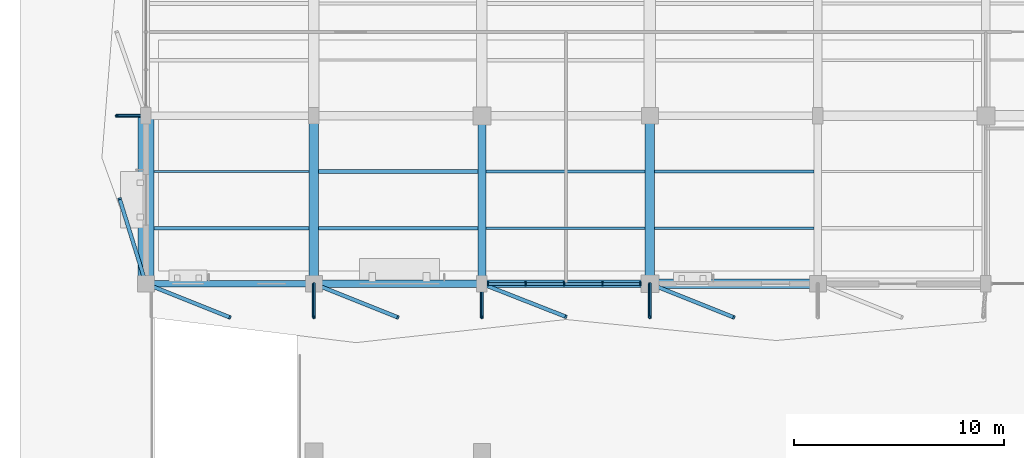
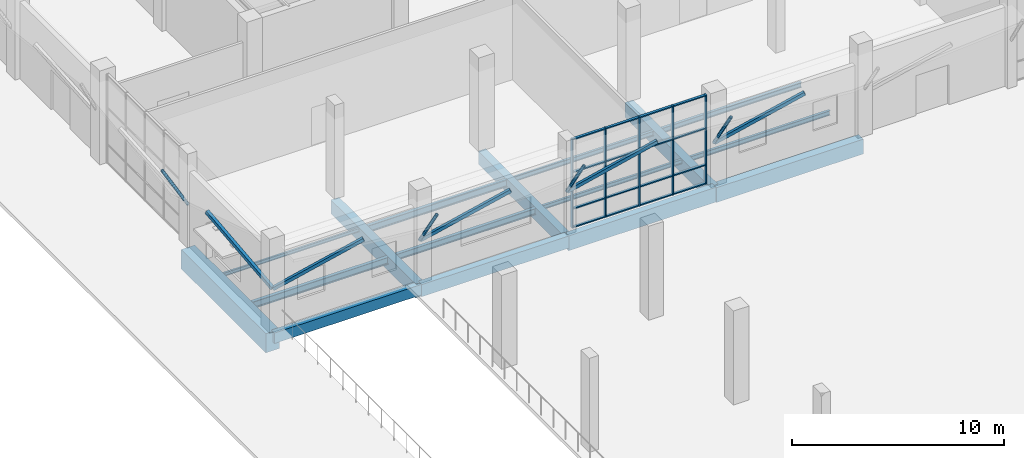
# One storey, part 34 of 123: 30 members, 16 beams, 1 element without a shape of its own.
"""IFC4 building model written with IfcOpenShell, lengths in metres."""

from ifc_helpers import new_model, si_unit, direction, frame, origin, origin_2d, place, context, subcontext, project, spatial, rectangle, hollow_rectangle, hollow_circle, i_section, extrude, material, material_profile, profile_set, type_object, element, aggregate, save


model = new_model("IFC4")

# Units and contexts
model_context = context("Model", 3, precision=1e-05, world=origin(), true_north=direction((0.0, 1.0)))
body_context = subcontext(model_context, "Body", "Model", "MODEL_VIEW")
ifc_project = project(units=[si_unit("LENGTHUNIT", "METRE"), si_unit("AREAUNIT", "SQUARE_METRE"), si_unit("VOLUMEUNIT", "CUBIC_METRE"), si_unit("PLANEANGLEUNIT", "RADIAN"), si_unit("MASSUNIT", "GRAM", prefix="KILO")], contexts=[model_context])

# Site, building, storey
site_placement = place(None, origin())
site = spatial("IfcSite", under=ifc_project, at=site_placement, CompositionType="ELEMENT")
building_placement = place(site_placement, origin())
building = spatial("IfcBuilding", under=site, at=building_placement, Name="Tenunan Teduh Sports Hall", CompositionType="ELEMENT")
storey_placement = place(building_placement, origin())
storey = spatial("IfcBuildingStorey", under=building, at=storey_placement, Name="L00", CompositionType="ELEMENT", Elevation=0.0)

# Beams
ifc_material_1 = material(Name="Concrete C40/50", Category="concrete")
ifc_material_profile_1 = material_profile(ifc_material_1, rectangle(XDim=0.300048828125, YDim=0.60009765625, at=origin_2d()), Name="RCB 300x600")
ifc_profile_set_1 = profile_set([ifc_material_profile_1], Name="Concrete C40/50")
beam_type_1 = type_object("IfcBeamType", Name="BM-RC-300x600", PredefinedType="BEAM", material=ifc_profile_set_1)
beam_1_placement = place(storey_placement, frame((6.0, 78.0, -0.580078125), z_axis=(1.0, 0.0, 0.0), x_axis=(0.0, 1.0, 0.0)))
element("IfcBeam", 1, at=beam_1_placement, inside=storey, type_object=beam_type_1, Name="BM-B-03-L00-0674", PredefinedType="BEAM", context=body_context, shape_type="SweptSolid", body=[
    extrude(rectangle(XDim=0.300048828125, YDim=0.60009765625, at=origin_2d()), origin(), (0.0, 0.0, 1.0), 8.0),
])
ifc_material_2 = material(Name="Concrete C40/50", Category="concrete")
ifc_material_profile_2 = material_profile(ifc_material_2, rectangle(XDim=0.35009765625, YDim=0.699951171875, at=origin_2d()), Name="RCB 350x700")
ifc_profile_set_2 = profile_set([ifc_material_profile_2], Name="Concrete C40/50")
beam_type_2 = type_object("IfcBeamType", Name="BM-RC-350x700", PredefinedType="BEAM", material=ifc_profile_set_2)
beam_2_placement = place(storey_placement, frame((14.0, 78.0, -0.6298828125), z_axis=(1.0, 0.0, 0.0), x_axis=(0.0, 1.0, 0.0)))
element("IfcBeam", 2, at=beam_2_placement, inside=storey, type_object=beam_type_2, Name="BM-B-06-L00-0675", PredefinedType="BEAM", context=body_context, shape_type="SweptSolid", body=[
    extrude(rectangle(XDim=0.35009765625, YDim=0.699951171875, at=origin_2d()), origin(), (0.0, 0.0, 1.0), 8.0),
])
ifc_material_3 = material(Name="Concrete C40/50", Category="concrete")
ifc_material_profile_3 = material_profile(ifc_material_3, rectangle(XDim=0.39990234375, YDim=0.75, at=origin_2d()), Name="RCB 400x750")
ifc_profile_set_3 = profile_set([ifc_material_profile_3], Name="Concrete C40/50")
beam_type_3 = type_object("IfcBeamType", Name="BM-RC-400x750", PredefinedType="BEAM", material=ifc_profile_set_3)
beam_3_placement = place(storey_placement, frame((22.0, 78.0, -0.655029296875), z_axis=(0.0, 1.0, 0.0), x_axis=(-1.0, 0.0, 0.0)))
element("IfcBeam", 3, at=beam_3_placement, inside=storey, type_object=beam_type_3, Name="BM-B-09-L00-0778", PredefinedType="BEAM", context=body_context, shape_type="SweptSolid", body=[
    extrude(rectangle(XDim=0.39990234375, YDim=0.75, at=origin_2d()), origin(), (0.0, 0.0, 1.0), 8.0),
])
ifc_material_4 = material(Name="Concrete C40/50", Category="concrete")
ifc_material_profile_4 = material_profile(ifc_material_4, rectangle(XDim=0.449951171875, YDim=0.800048828125, at=origin_2d()), Name="RCB 450x800")
ifc_profile_set_4 = profile_set([ifc_material_profile_4], Name="Concrete C40/50")
beam_type_4 = type_object("IfcBeamType", Name="BM-RC-450x800", PredefinedType="BEAM", material=ifc_profile_set_4)
beam_4_placement = place(storey_placement, frame((14.0, 78.0, -0.679931640625), z_axis=(0.0, 1.0, 0.0), x_axis=(-1.0, 0.0, 0.0)))
element("IfcBeam", 4, at=beam_4_placement, inside=storey, type_object=beam_type_4, Name="BM-B-12-L00-0772", PredefinedType="BEAM", context=body_context, shape_type="SweptSolid", body=[
    extrude(rectangle(XDim=0.449951171875, YDim=0.800048828125, at=origin_2d()), origin(), (0.0, 0.0, 1.0), 8.0),
])
ifc_material_5 = material(Name="Concrete C40/50", Category="concrete")
ifc_material_profile_5 = material_profile(ifc_material_5, rectangle(XDim=0.449951171875, YDim=0.85009765625, at=origin_2d()), Name="RCB 450x850")
ifc_profile_set_5 = profile_set([ifc_material_profile_5], Name="Concrete C40/50")
beam_type_5 = type_object("IfcBeamType", Name="BM-RC-450x850", PredefinedType="BEAM", material=ifc_profile_set_5)
for number, where, z_axis, x_axis, name in (
    (5, (30.0, 78.0, -0.705078125), (1.0, 0.0, 0.0), (0.0, 1.0, 0.0), "BM-B-13-L00-0677"),
    (6, (30.0, 78.0, -0.705078125), (0.0, 1.0, 0.0), (-1.0, 0.0, 0.0), "BM-B-13-L00-0784"),
):
    element("IfcBeam", number, at=place(storey_placement, frame(where, z_axis=z_axis, x_axis=x_axis)), inside=storey, type_object=beam_type_5, Name=name, PredefinedType="BEAM", context=body_context, shape_type="SweptSolid", body=[
        extrude(rectangle(XDim=0.449951171875, YDim=0.85009765625, at=origin_2d()), origin(), (0.0, 0.0, 1.0), 8.0),
    ])
ifc_material_6 = material(Name="Concrete C40/50", Category="concrete")
ifc_material_profile_6 = material_profile(ifc_material_6, rectangle(XDim=0.75, YDim=1.10009765625, at=origin_2d()), Name="RCB 750x1100")
ifc_profile_set_6 = profile_set([ifc_material_profile_6], Name="Concrete C40/50")
beam_type_6 = type_object("IfcBeamType", Name="BM-RC-750x1100", PredefinedType="SPANDREL", material=ifc_profile_set_6)
beam_5_placement = place(storey_placement, frame((6.0, 78.0, -0.830078125), z_axis=(0.0, 1.0, 0.0), x_axis=(-1.0, 0.0, 0.0)))
element("IfcBeam", 7, at=beam_5_placement, inside=storey, type_object=beam_type_6, Name="BM-B-20-L00-0767", PredefinedType="SPANDREL", context=body_context, shape_type="SweptSolid", body=[
    extrude(rectangle(XDim=0.75, YDim=1.10009765625, at=origin_2d()), origin(), (0.0, 0.0, 1.0), 8.0),
])
ifc_material_7 = material(Name="Concrete C40/50", Category="concrete")
ifc_material_profile_7 = material_profile(ifc_material_7, rectangle(XDim=0.35009765625, YDim=0.85009765625, at=origin_2d()), Name="SPB 350x850")
ifc_profile_set_7 = profile_set([ifc_material_profile_7], Name="Concrete C40/50")
beam_type_7 = type_object("IfcBeamType", Name="BM-SP-350x850", PredefinedType="SPANDREL", material=ifc_profile_set_7)
beam_6_placement = place(storey_placement, frame((22.0, 78.0, -0.705078125), z_axis=(1.0, 0.0, 0.0), x_axis=(0.0, 1.0, 0.0)))
element("IfcBeam", 8, at=beam_6_placement, inside=storey, type_object=beam_type_7, Name="BM-SP-02-L00-0676", PredefinedType="SPANDREL", context=body_context, shape_type="SweptSolid", body=[
    extrude(rectangle(XDim=0.35009765625, YDim=0.85009765625, at=origin_2d()), origin(), (0.0, 0.0, 1.0), 8.0),
])

# Curtain wall, members
ifc_material_8 = material(Name="Anodised aluminium", Category="aluminium")
curtain_wall_type = type_object("IfcCurtainWallType", Name="CW-UNIT-1", PredefinedType="NOTDEFINED", material=ifc_material_8)
curtain_wall_placement = place(storey_placement, origin())
curtain_wall = element("IfcCurtainWall", 9, at=curtain_wall_placement, inside=storey, type_object=curtain_wall_type, Name="CW-CWM-175-L00-190", PredefinedType="NOTDEFINED")
ifc_material_9 = material(Name="Anodised aluminium", Category="aluminium")
ifc_material_profile_8 = material_profile(ifc_material_9, rectangle(XDim=0.06494140625, YDim=0.175048828125, at=origin_2d()), Name="CWM 65x175")
ifc_profile_set_8 = profile_set([ifc_material_profile_8], Name="Anodised aluminium")
member_type_1 = type_object("IfcMemberType", Name="CWM-175", PredefinedType="MULLION", material=ifc_profile_set_8)
member_1_placement = place(storey_placement, frame((22.282470703125, 78.0, 0.0), z_axis=(0.0, 0.0, 1.0), x_axis=(1.0, 0.0, 0.0)))
member_1 = element("IfcMember", 10, at=member_1_placement, type_object=member_type_1, Name="CW-01 mullion 1", PredefinedType="MULLION", context=body_context, shape_type="SweptSolid", body=[
    extrude(rectangle(XDim=0.06494140625, YDim=0.175048828125, at=origin_2d()), origin(), (0.0, 0.0, 1.0), 5.1201171875),
])
member_2_placement = place(storey_placement, frame((24.081298828125, 78.0, 0.0), z_axis=(0.0, 0.0, 1.0), x_axis=(1.0, 0.0, 0.0)))
member_2 = element("IfcMember", 11, at=member_2_placement, type_object=member_type_1, Name="CW-01 mullion 2", PredefinedType="MULLION", context=body_context, shape_type="SweptSolid", body=[
    extrude(rectangle(XDim=0.06494140625, YDim=0.175048828125, at=origin_2d()), origin(), (0.0, 0.0, 1.0), 5.1201171875),
])
member_3_placement = place(storey_placement, frame((25.91259765625, 78.0, 0.0), z_axis=(0.0, 0.0, 1.0), x_axis=(1.0, 0.0, 0.0)))
member_3 = element("IfcMember", 12, at=member_3_placement, type_object=member_type_1, Name="CW-01 mullion 3", PredefinedType="MULLION", context=body_context, shape_type="SweptSolid", body=[
    extrude(rectangle(XDim=0.06494140625, YDim=0.175048828125, at=origin_2d()), origin(), (0.0, 0.0, 1.0), 5.1201171875),
])
member_4_placement = place(storey_placement, frame((27.74365234375, 78.0, 0.0), z_axis=(0.0, 0.0, 1.0), x_axis=(1.0, 0.0, 0.0)))
member_4 = element("IfcMember", 13, at=member_4_placement, type_object=member_type_1, Name="CW-01 mullion 4", PredefinedType="MULLION", context=body_context, shape_type="SweptSolid", body=[
    extrude(rectangle(XDim=0.06494140625, YDim=0.175048828125, at=origin_2d()), origin(), (0.0, 0.0, 1.0), 5.1201171875),
])
member_5_placement = place(storey_placement, frame((29.54248046875, 78.0, 0.0), z_axis=(0.0, 0.0, 1.0), x_axis=(1.0, 0.0, 0.0)))
member_5 = element("IfcMember", 14, at=member_5_placement, type_object=member_type_1, Name="CW-01 mullion 5", PredefinedType="MULLION", context=body_context, shape_type="SweptSolid", body=[
    extrude(rectangle(XDim=0.06494140625, YDim=0.175048828125, at=origin_2d()), origin(), (0.0, 0.0, 1.0), 5.1201171875),
])
ifc_material_10 = material(Name="Anodised aluminium", Category="aluminium")
ifc_material_profile_9 = material_profile(ifc_material_10, rectangle(XDim=0.06494140625, YDim=0.139892578125, at=origin_2d()), Name="CWT 65x140")
ifc_profile_set_9 = profile_set([ifc_material_profile_9], Name="Anodised aluminium")
member_type_2 = type_object("IfcMemberType", Name="CWT-150", PredefinedType="USERDEFINED", material=ifc_profile_set_9)
member_6_placement = place(storey_placement, frame((22.31494140625, 78.0, 0.032470703125), z_axis=(1.0, 0.0, 0.0), x_axis=(0.0, 0.0, 1.0)))
member_6 = element("IfcMember", 15, at=member_6_placement, type_object=member_type_2, Name="CW-01 transom 1.1", ObjectType="TRANSOM", PredefinedType="USERDEFINED", context=body_context, shape_type="SweptSolid", body=[
    extrude(rectangle(XDim=0.06494140625, YDim=0.139892578125, at=origin_2d()), origin(), (0.0, 0.0, 1.0), 1.73388671875),
])
member_7_placement = place(storey_placement, frame((22.31494140625, 78.0, 1.10009765625), z_axis=(1.0, 0.0, 0.0), x_axis=(0.0, 0.0, 1.0)))
member_7 = element("IfcMember", 16, at=member_7_placement, type_object=member_type_2, Name="CW-01 transom 1.2", ObjectType="TRANSOM", PredefinedType="USERDEFINED", context=body_context, shape_type="SweptSolid", body=[
    extrude(rectangle(XDim=0.06494140625, YDim=0.139892578125, at=origin_2d()), origin(), (0.0, 0.0, 1.0), 1.73388671875),
])
member_8_placement = place(storey_placement, frame((22.31494140625, 78.0, 3.199951171875), z_axis=(1.0, 0.0, 0.0), x_axis=(0.0, 0.0, 1.0)))
member_8 = element("IfcMember", 17, at=member_8_placement, type_object=member_type_2, Name="CW-01 transom 1.3", ObjectType="TRANSOM", PredefinedType="USERDEFINED", context=body_context, shape_type="SweptSolid", body=[
    extrude(rectangle(XDim=0.06494140625, YDim=0.139892578125, at=origin_2d()), origin(), (0.0, 0.0, 1.0), 1.73388671875),
])
member_9_placement = place(storey_placement, frame((22.31494140625, 78.0, 5.08740234375), z_axis=(1.0, 0.0, 0.0), x_axis=(0.0, 0.0, 1.0)))
member_9 = element("IfcMember", 18, at=member_9_placement, type_object=member_type_2, Name="CW-01 transom 1.4", ObjectType="TRANSOM", PredefinedType="USERDEFINED", context=body_context, shape_type="SweptSolid", body=[
    extrude(rectangle(XDim=0.06494140625, YDim=0.139892578125, at=origin_2d()), origin(), (0.0, 0.0, 1.0), 1.73388671875),
])
member_10_placement = place(storey_placement, frame((24.11376953125, 78.0, 0.032470703125), z_axis=(1.0, 0.0, 0.0), x_axis=(0.0, 0.0, 1.0)))
member_10 = element("IfcMember", 19, at=member_10_placement, type_object=member_type_2, Name="CW-01 transom 2.1", ObjectType="TRANSOM", PredefinedType="USERDEFINED", context=body_context, shape_type="SweptSolid", body=[
    extrude(rectangle(XDim=0.06494140625, YDim=0.139892578125, at=origin_2d()), origin(), (0.0, 0.0, 1.0), 1.76611328125),
])
member_11_placement = place(storey_placement, frame((24.11376953125, 78.0, 1.10009765625), z_axis=(1.0, 0.0, 0.0), x_axis=(0.0, 0.0, 1.0)))
member_11 = element("IfcMember", 20, at=member_11_placement, type_object=member_type_2, Name="CW-01 transom 2.2", ObjectType="TRANSOM", PredefinedType="USERDEFINED", context=body_context, shape_type="SweptSolid", body=[
    extrude(rectangle(XDim=0.06494140625, YDim=0.139892578125, at=origin_2d()), origin(), (0.0, 0.0, 1.0), 1.76611328125),
])
member_12_placement = place(storey_placement, frame((24.11376953125, 78.0, 3.199951171875), z_axis=(1.0, 0.0, 0.0), x_axis=(0.0, 0.0, 1.0)))
member_12 = element("IfcMember", 21, at=member_12_placement, type_object=member_type_2, Name="CW-01 transom 2.3", ObjectType="TRANSOM", PredefinedType="USERDEFINED", context=body_context, shape_type="SweptSolid", body=[
    extrude(rectangle(XDim=0.06494140625, YDim=0.139892578125, at=origin_2d()), origin(), (0.0, 0.0, 1.0), 1.76611328125),
])
member_13_placement = place(storey_placement, frame((24.11376953125, 78.0, 5.08740234375), z_axis=(1.0, 0.0, 0.0), x_axis=(0.0, 0.0, 1.0)))
member_13 = element("IfcMember", 22, at=member_13_placement, type_object=member_type_2, Name="CW-01 transom 2.4", ObjectType="TRANSOM", PredefinedType="USERDEFINED", context=body_context, shape_type="SweptSolid", body=[
    extrude(rectangle(XDim=0.06494140625, YDim=0.139892578125, at=origin_2d()), origin(), (0.0, 0.0, 1.0), 1.76611328125),
])
member_14_placement = place(storey_placement, frame((25.945068359375, 78.0, 0.032470703125), z_axis=(1.0, 0.0, 0.0), x_axis=(0.0, 0.0, 1.0)))
member_14 = element("IfcMember", 23, at=member_14_placement, type_object=member_type_2, Name="CW-01 transom 3.1", ObjectType="TRANSOM", PredefinedType="USERDEFINED", context=body_context, shape_type="SweptSolid", body=[
    extrude(rectangle(XDim=0.06494140625, YDim=0.139892578125, at=origin_2d()), origin(), (0.0, 0.0, 1.0), 1.76611328125),
])
member_15_placement = place(storey_placement, frame((25.945068359375, 78.0, 1.10009765625), z_axis=(1.0, 0.0, 0.0), x_axis=(0.0, 0.0, 1.0)))
member_15 = element("IfcMember", 24, at=member_15_placement, type_object=member_type_2, Name="CW-01 transom 3.2", ObjectType="TRANSOM", PredefinedType="USERDEFINED", context=body_context, shape_type="SweptSolid", body=[
    extrude(rectangle(XDim=0.06494140625, YDim=0.139892578125, at=origin_2d()), origin(), (0.0, 0.0, 1.0), 1.76611328125),
])
member_16_placement = place(storey_placement, frame((25.945068359375, 78.0, 3.199951171875), z_axis=(1.0, 0.0, 0.0), x_axis=(0.0, 0.0, 1.0)))
member_16 = element("IfcMember", 25, at=member_16_placement, type_object=member_type_2, Name="CW-01 transom 3.3", ObjectType="TRANSOM", PredefinedType="USERDEFINED", context=body_context, shape_type="SweptSolid", body=[
    extrude(rectangle(XDim=0.06494140625, YDim=0.139892578125, at=origin_2d()), origin(), (0.0, 0.0, 1.0), 1.76611328125),
])
member_17_placement = place(storey_placement, frame((25.945068359375, 78.0, 5.08740234375), z_axis=(1.0, 0.0, 0.0), x_axis=(0.0, 0.0, 1.0)))
member_17 = element("IfcMember", 26, at=member_17_placement, type_object=member_type_2, Name="CW-01 transom 3.4", ObjectType="TRANSOM", PredefinedType="USERDEFINED", context=body_context, shape_type="SweptSolid", body=[
    extrude(rectangle(XDim=0.06494140625, YDim=0.139892578125, at=origin_2d()), origin(), (0.0, 0.0, 1.0), 1.76611328125),
])
member_18_placement = place(storey_placement, frame((27.7763671875, 78.0, 0.032470703125), z_axis=(1.0, 0.0, 0.0), x_axis=(0.0, 0.0, 1.0)))
member_18 = element("IfcMember", 27, at=member_18_placement, type_object=member_type_2, Name="CW-01 transom 4.1", ObjectType="TRANSOM", PredefinedType="USERDEFINED", context=body_context, shape_type="SweptSolid", body=[
    extrude(rectangle(XDim=0.06494140625, YDim=0.139892578125, at=origin_2d()), origin(), (0.0, 0.0, 1.0), 1.733642578125),
])
member_19_placement = place(storey_placement, frame((27.7763671875, 78.0, 1.10009765625), z_axis=(1.0, 0.0, 0.0), x_axis=(0.0, 0.0, 1.0)))
member_19 = element("IfcMember", 28, at=member_19_placement, type_object=member_type_2, Name="CW-01 transom 4.2", ObjectType="TRANSOM", PredefinedType="USERDEFINED", context=body_context, shape_type="SweptSolid", body=[
    extrude(rectangle(XDim=0.06494140625, YDim=0.139892578125, at=origin_2d()), origin(), (0.0, 0.0, 1.0), 1.733642578125),
])
member_20_placement = place(storey_placement, frame((27.7763671875, 78.0, 3.199951171875), z_axis=(1.0, 0.0, 0.0), x_axis=(0.0, 0.0, 1.0)))
member_20 = element("IfcMember", 29, at=member_20_placement, type_object=member_type_2, Name="CW-01 transom 4.3", ObjectType="TRANSOM", PredefinedType="USERDEFINED", context=body_context, shape_type="SweptSolid", body=[
    extrude(rectangle(XDim=0.06494140625, YDim=0.139892578125, at=origin_2d()), origin(), (0.0, 0.0, 1.0), 1.733642578125),
])
member_21_placement = place(storey_placement, frame((27.7763671875, 78.0, 5.08740234375), z_axis=(1.0, 0.0, 0.0), x_axis=(0.0, 0.0, 1.0)))
member_21 = element("IfcMember", 30, at=member_21_placement, type_object=member_type_2, Name="CW-01 transom 4.4", ObjectType="TRANSOM", PredefinedType="USERDEFINED", context=body_context, shape_type="SweptSolid", body=[
    extrude(rectangle(XDim=0.06494140625, YDim=0.139892578125, at=origin_2d()), origin(), (0.0, 0.0, 1.0), 1.733642578125),
])
aggregate(curtain_wall, [member_1, member_2, member_3, member_4, member_5, member_6, member_7, member_8, member_9, member_10, member_11, member_12, member_13, member_14, member_15, member_16, member_17, member_18, member_19, member_20, member_21])

# Beams
ifc_material_11 = material(Name="Steel S355", Category="steel")
ifc_material_profile_10 = material_profile(ifc_material_11, i_section(OverallWidth=0.10009765625, OverallDepth=0.199951171875, WebThickness=0.005615234375, FlangeThickness=0.008544921875, FilletRadius=0.011962890625, at=origin_2d()), Name="IPE 200")
ifc_profile_set_10 = profile_set([ifc_material_profile_10], Name="Steel S355")
beam_type_8 = type_object("IfcBeamType", Name="JST-IPE200", PredefinedType="JOIST", material=ifc_profile_set_10)
beam_7_placement = place(storey_placement, frame((6.375, 83.35009765625, -0.3798828125), z_axis=(1.0, 0.0, 0.0), x_axis=(0.0, 1.0, 0.0)))
element("IfcBeam", 31, at=beam_7_placement, inside=storey, type_object=beam_type_8, Name="BM-J-01-L00-0897", PredefinedType="JOIST", context=body_context, shape_type="SweptSolid", body=[
    extrude(i_section(OverallWidth=0.10009765625, OverallDepth=0.199951171875, WebThickness=0.005615234375, FlangeThickness=0.008544921875, FilletRadius=0.011962890625, at=origin_2d()), origin(), (0.0, 0.0, 1.0), 7.39990234375),
])
ifc_material_12 = material(Name="Steel S355", Category="steel")
ifc_material_profile_11 = material_profile(ifc_material_12, i_section(OverallWidth=0.1201171875, OverallDepth=0.239990234375, WebThickness=0.006103515625, FlangeThickness=0.009765625, FilletRadius=0.014892578125, at=origin_2d()), Name="IPE 240")
ifc_profile_set_11 = profile_set([ifc_material_profile_11], Name="Steel S355")
beam_type_9 = type_object("IfcBeamType", Name="JST-IPE240", PredefinedType="JOIST", material=ifc_profile_set_11)
beam_8_placement = place(storey_placement, frame((22.199951171875, 80.64990234375, -0.39990234375), z_axis=(1.0, 0.0, 0.0), x_axis=(0.0, 1.0, 0.0)))
element("IfcBeam", 32, at=beam_8_placement, inside=storey, type_object=beam_type_9, Name="BM-J-02-L00-0914", PredefinedType="JOIST", context=body_context, shape_type="SweptSolid", body=[
    extrude(i_section(OverallWidth=0.1201171875, OverallDepth=0.239990234375, WebThickness=0.006103515625, FlangeThickness=0.009765625, FilletRadius=0.014892578125, at=origin_2d()), origin(), (0.0, 0.0, 1.0), 7.574951171875),
])
ifc_material_13 = material(Name="Steel S355", Category="steel")
ifc_material_profile_12 = material_profile(ifc_material_13, i_section(OverallWidth=0.135009765625, OverallDepth=0.27001953125, WebThickness=0.006591796875, FlangeThickness=0.01025390625, FilletRadius=0.014892578125, at=origin_2d()), Name="IPE 270")
ifc_profile_set_12 = profile_set([ifc_material_profile_12], Name="Steel S355")
beam_type_10 = type_object("IfcBeamType", Name="JST-IPE270", PredefinedType="JOIST", material=ifc_profile_set_12)
beam_9_placement = place(storey_placement, frame((22.199951171875, 83.35009765625, -0.4150390625), z_axis=(1.0, 0.0, 0.0), x_axis=(0.0, 1.0, 0.0)))
element("IfcBeam", 33, at=beam_9_placement, inside=storey, type_object=beam_type_10, Name="BM-J-03-L00-0915", PredefinedType="JOIST", context=body_context, shape_type="SweptSolid", body=[
    extrude(i_section(OverallWidth=0.135009765625, OverallDepth=0.27001953125, WebThickness=0.006591796875, FlangeThickness=0.01025390625, FilletRadius=0.014892578125, at=origin_2d()), origin(), (0.0, 0.0, 1.0), 7.574951171875),
])
beam_10_placement = place(storey_placement, frame((30.22509765625, 80.64990234375, -0.4150390625), z_axis=(1.0, 0.0, 0.0), x_axis=(0.0, 1.0, 0.0)))
element("IfcBeam", 34, at=beam_10_placement, inside=storey, type_object=beam_type_10, Name="BM-J-03-L00-0926", PredefinedType="JOIST", context=body_context, shape_type="SweptSolid", body=[
    extrude(i_section(OverallWidth=0.135009765625, OverallDepth=0.27001953125, WebThickness=0.006591796875, FlangeThickness=0.01025390625, FilletRadius=0.014892578125, at=origin_2d()), origin(), (0.0, 0.0, 1.0), 7.599853515625),
])
ifc_material_14 = material(Name="Steel S355", Category="steel")
ifc_material_profile_13 = material_profile(ifc_material_14, i_section(OverallWidth=0.14990234375, OverallDepth=0.300048828125, WebThickness=0.007080078125, FlangeThickness=0.0107421875, FilletRadius=0.014892578125, at=origin_2d()), Name="IPE 300")
ifc_profile_set_13 = profile_set([ifc_material_profile_13], Name="Steel S355")
beam_type_11 = type_object("IfcBeamType", Name="JST-IPE300", PredefinedType="JOIST", material=ifc_profile_set_13)
beam_11_placement = place(storey_placement, frame((30.22509765625, 83.35009765625, -0.429931640625), z_axis=(1.0, 0.0, 0.0), x_axis=(0.0, 1.0, 0.0)))
element("IfcBeam", 35, at=beam_11_placement, inside=storey, type_object=beam_type_11, Name="BM-J-04-L00-0927", PredefinedType="JOIST", context=body_context, shape_type="SweptSolid", body=[
    extrude(i_section(OverallWidth=0.14990234375, OverallDepth=0.300048828125, WebThickness=0.007080078125, FlangeThickness=0.0107421875, FilletRadius=0.014892578125, at=origin_2d()), origin(), (0.0, 0.0, 1.0), 7.599853515625),
])
ifc_material_15 = material(Name="Steel S355", Category="steel")
ifc_material_profile_14 = material_profile(ifc_material_15, i_section(OverallWidth=0.169921875, OverallDepth=0.360107421875, WebThickness=0.008056640625, FlangeThickness=0.0126953125, FilletRadius=0.01806640625, at=origin_2d()), Name="IPE 360")
ifc_profile_set_14 = profile_set([ifc_material_profile_14], Name="Steel S355")
beam_type_12 = type_object("IfcBeamType", Name="JST-IPE360", PredefinedType="JOIST", material=ifc_profile_set_14)
beam_12_placement = place(storey_placement, frame((14.22509765625, 80.64990234375, -0.4599609375), z_axis=(1.0, 0.0, 0.0), x_axis=(0.0, 1.0, 0.0)))
element("IfcBeam", 36, at=beam_12_placement, inside=storey, type_object=beam_type_12, Name="BM-J-05-L00-0906", PredefinedType="JOIST", context=body_context, shape_type="SweptSolid", body=[
    extrude(i_section(OverallWidth=0.169921875, OverallDepth=0.360107421875, WebThickness=0.008056640625, FlangeThickness=0.0126953125, FilletRadius=0.01806640625, at=origin_2d()), origin(), (0.0, 0.0, 1.0), 7.574951171875),
])
ifc_material_16 = material(Name="Steel S355", Category="steel")
ifc_material_profile_15 = material_profile(ifc_material_16, i_section(OverallWidth=0.179931640625, OverallDepth=0.39990234375, WebThickness=0.008544921875, FlangeThickness=0.013427734375, FilletRadius=0.02099609375, at=origin_2d()), Name="IPE 400")
ifc_profile_set_15 = profile_set([ifc_material_profile_15], Name="Steel S355")
beam_type_13 = type_object("IfcBeamType", Name="JST-IPE400", PredefinedType="JOIST", material=ifc_profile_set_15)
beam_13_placement = place(storey_placement, frame((6.375, 80.64990234375, -0.47998046875), z_axis=(1.0, 0.0, 0.0), x_axis=(0.0, 1.0, 0.0)))
element("IfcBeam", 37, at=beam_13_placement, inside=storey, type_object=beam_type_13, Name="BM-J-06-L00-0896", PredefinedType="JOIST", context=body_context, shape_type="SweptSolid", body=[
    extrude(i_section(OverallWidth=0.179931640625, OverallDepth=0.39990234375, WebThickness=0.008544921875, FlangeThickness=0.013427734375, FilletRadius=0.02099609375, at=origin_2d()), origin(), (0.0, 0.0, 1.0), 7.39990234375),
])
beam_14_placement = place(storey_placement, frame((14.22509765625, 83.35009765625, -0.47998046875), z_axis=(1.0, 0.0, 0.0), x_axis=(0.0, 1.0, 0.0)))
element("IfcBeam", 38, at=beam_14_placement, inside=storey, type_object=beam_type_13, Name="BM-J-06-L00-0907", PredefinedType="JOIST", context=body_context, shape_type="SweptSolid", body=[
    extrude(i_section(OverallWidth=0.179931640625, OverallDepth=0.39990234375, WebThickness=0.008544921875, FlangeThickness=0.013427734375, FilletRadius=0.02099609375, at=origin_2d()), origin(), (0.0, 0.0, 1.0), 7.574951171875),
])

# Members
ifc_material_17 = material(Name="Steel S355", Category="steel")
ifc_material_profile_16 = material_profile(ifc_material_17, hollow_circle(Radius=0.084228515625, WallThickness=0.008056640625, at=origin_2d()), Name="CHS 168.3x8.0")
ifc_profile_set_16 = profile_set([ifc_material_profile_16], Name="Steel S355")
member_type_3 = type_object("IfcMemberType", Name="MEM-BR-CHS168", PredefinedType="BRACE", material=ifc_profile_set_16)
for number, where, z_axis, x_axis, name in (
    (39, (14.0, 78.0, 2.199951171875), (0.0, -0.551511423487, 0.834167339186), (1.0, 0.0, 0.0), "MEM-GD-04-L00-1123"),
    (40, (22.0, 78.0, 2.199951171875), (0.0, -0.551511423487, 0.834167339186), (1.0, 0.0, 0.0), "MEM-GD-04-L00-1125"),
    (41, (30.0, 78.0, 2.199951171875), (0.0, -0.551511423487, 0.834167339186), (1.0, 0.0, 0.0), "MEM-GD-04-L00-1127"),
):
    element("IfcMember", number, at=place(storey_placement, frame(where, z_axis=z_axis, x_axis=x_axis)), inside=storey, type_object=member_type_3, Name=name, PredefinedType="BRACE", context=body_context, shape_type="SweptSolid", body=[
        extrude(hollow_circle(Radius=0.084228515625, WallThickness=0.008056640625, at=origin_2d()), origin(), (0.0, 0.0, 1.0), 2.9013671875),
    ])
member_22_placement = place(storey_placement, frame((6.0, 86.0, 2.199951171875), z_axis=(-0.500702345696, 0.0, 0.865619524395), x_axis=(0.0, -1.0, 0.0)))
element("IfcMember", 42, at=member_22_placement, inside=storey, type_object=member_type_3, Name="MEM-GD-04-L00-1133", PredefinedType="BRACE", context=body_context, shape_type="SweptSolid", body=[
    extrude(hollow_circle(Radius=0.084228515625, WallThickness=0.008056640625, at=origin_2d()), origin(), (0.0, 0.0, 1.0), 2.7958984375),
])
ifc_material_18 = material(Name="Steel S355", Category="steel")
ifc_material_profile_17 = material_profile(ifc_material_18, hollow_rectangle(XDim=0.179931640625, YDim=0.179931640625, WallThickness=0.010009765625, at=origin_2d()), Name="SHS 180x180x10.0")
ifc_profile_set_17 = profile_set([ifc_material_profile_17], Name="Steel S355")
member_type_4 = type_object("IfcMemberType", Name="MEM-ST-SHS180", PredefinedType="STRUT", material=ifc_profile_set_17)
for number, where, z_axis, x_axis, name in (
    (43, (6.0, 78.0, 2.199951171875), (0.809485829099, -0.323814094477, 0.489772523429), (0.37141021739, 0.928468874232, 0.0), "MEM-VS-03-L00-1122"),
    (44, (14.0, 78.0, 2.199951171875), (0.809485829099, -0.323814094477, 0.489772523429), (0.37141021739, 0.928468874232, 0.0), "MEM-VS-03-L00-1124"),
):
    element("IfcMember", number, at=place(storey_placement, frame(where, z_axis=z_axis, x_axis=x_axis)), inside=storey, type_object=member_type_4, Name=name, PredefinedType="STRUT", context=body_context, shape_type="SweptSolid", body=[
        extrude(hollow_rectangle(XDim=0.179931640625, YDim=0.179931640625, WallThickness=0.010009765625, at=origin_2d()), origin(), (0.0, 0.0, 1.0), 4.94140625),
    ])
member_23_placement = place(storey_placement, frame((22.0, 78.0, 2.199951171875), z_axis=(0.811170045567, -0.318281547471, 0.490611876858), x_axis=(0.365262228869, 0.93090466975, 0.0)))
element("IfcMember", 45, at=member_23_placement, inside=storey, type_object=member_type_4, Name="MEM-VS-03-L00-1126", PredefinedType="STRUT", context=body_context, shape_type="SweptSolid", body=[
    extrude(hollow_rectangle(XDim=0.179931640625, YDim=0.179931640625, WallThickness=0.010009765625, at=origin_2d()), origin(), (0.0, 0.0, 1.0), 4.932861328125),
])
member_24_placement = place(storey_placement, frame((30.0, 78.0, 2.199951171875), z_axis=(0.809485829099, -0.323814094477, 0.489772523429), x_axis=(0.37141021739, 0.928468874232, 0.0)))
element("IfcMember", 46, at=member_24_placement, inside=storey, type_object=member_type_4, Name="MEM-VS-03-L00-1128", PredefinedType="STRUT", context=body_context, shape_type="SweptSolid", body=[
    extrude(hollow_rectangle(XDim=0.179931640625, YDim=0.179931640625, WallThickness=0.010009765625, at=origin_2d()), origin(), (0.0, 0.0, 1.0), 4.94140625),
])
member_25_placement = place(storey_placement, frame((6.0, 78.0, 2.199951171875), z_axis=(-0.257232712222, 0.829632981878, 0.49552038015), x_axis=(-0.955142188167, -0.296147598982, 0.0)))
element("IfcMember", 47, at=member_25_placement, inside=storey, type_object=member_type_4, Name="MEM-VS-03-L00-1132", PredefinedType="STRUT", context=body_context, shape_type="SweptSolid", body=[
    extrude(hollow_rectangle(XDim=0.179931640625, YDim=0.179931640625, WallThickness=0.010009765625, at=origin_2d()), origin(), (0.0, 0.0, 1.0), 4.884033203125),
])

save(model, "model.ifc")
